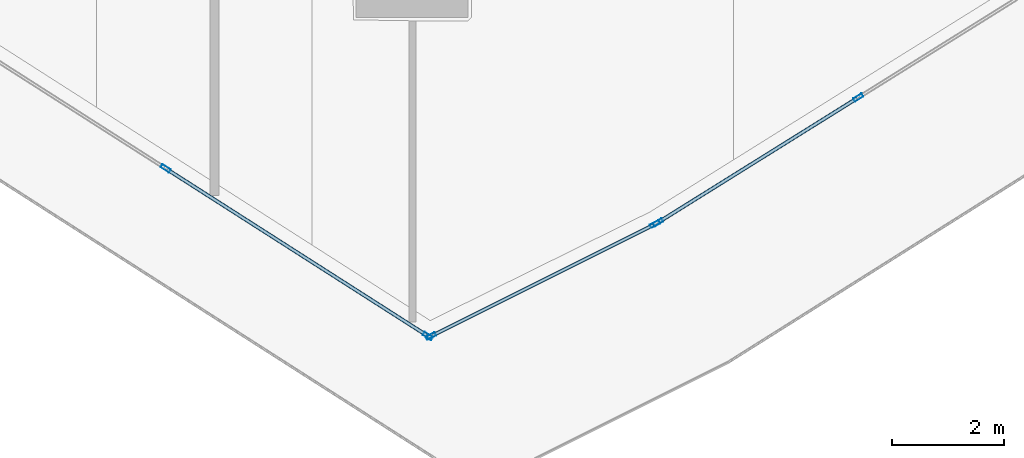
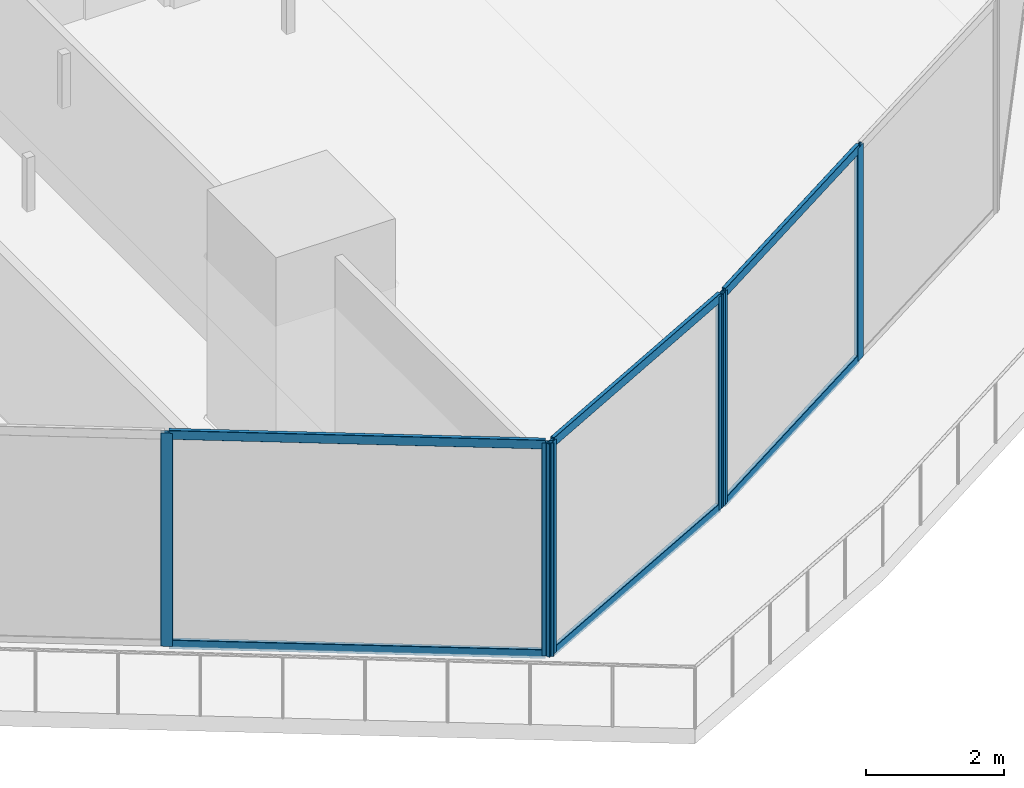
# One storey, part 9 of 37: 12 members, 3 elements without a shape of their own.
"""IFC4 building model written with IfcOpenShell, lengths in metres."""

from ifc_helpers import new_model, si_unit, direction, frame, origin, origin_2d, place, context, subcontext, project, spatial, hollow_rectangle, extrude, material, layer, layer_set, material_profile, profile_set, type_object, element, aggregate, save


model = new_model("IFC4")

# Units and contexts
model_context = context("Model", 3, precision=1e-05, world=origin(), true_north=direction((0.0, 1.0)))
body_context = subcontext(model_context, "Body", "Model", "MODEL_VIEW")
ifc_project = project(units=[si_unit("LENGTHUNIT", "METRE"), si_unit("AREAUNIT", "SQUARE_METRE"), si_unit("VOLUMEUNIT", "CUBIC_METRE"), si_unit("PLANEANGLEUNIT", "RADIAN"), si_unit("MASSUNIT", "GRAM", prefix="KILO")], contexts=[model_context])

# Site, building, storey
site_placement = place(None, origin())
site = spatial("IfcSite", under=ifc_project, at=site_placement, CompositionType="ELEMENT")
building_placement = place(site_placement, origin())
building = spatial("IfcBuilding", under=site, at=building_placement, Name="Qorvath Tower", CompositionType="ELEMENT")
storey_placement = place(building_placement, frame((0.0, 0.0, 188.85009765625)))
storey = spatial("IfcBuildingStorey", under=building, at=storey_placement, Name="L43", CompositionType="ELEMENT", Elevation=188.85009765625)

# Curtain wall, members
ifc_material_1 = material(Name="Anodised aluminium and triple low-E glass", Category="aluminium")
ifc_layer = layer(ifc_material_1, 0.179931640625)
ifc_layer_set = layer_set([ifc_layer], Name="CW-SYS-3")
curtain_wall_type = type_object("IfcCurtainWallType", Name="CW-SYS-3", PredefinedType="NOTDEFINED", material=ifc_layer_set)
curtain_wall_1_placement = place(storey_placement, origin())
curtain_wall_1 = element("IfcCurtainWall", 1, at=curtain_wall_1_placement, inside=storey, type_object=curtain_wall_type, Name="Curtain Wall CW-3 CW-T-L43-2.2", PredefinedType="NOTDEFINED")
ifc_material_2 = material(Name="Anodised aluminium 6063-T6", Category="aluminium")
ifc_material_profile_1 = material_profile(ifc_material_2, hollow_rectangle(XDim=0.06494140625, YDim=0.179931640625, WallThickness=0.00341796875, InnerFilletRadius=0.00341796875, OuterFilletRadius=0.007080078125, at=origin_2d()), Name="CWM 180x65")
ifc_profile_set_1 = profile_set([ifc_material_profile_1], Name="Anodised aluminium 6063-T6")
member_type_1 = type_object("IfcMemberType", Name="CWM-180", PredefinedType="MULLION", material=ifc_profile_set_1)
member_1_placement = place(storey_placement, frame((-21.256103515625, -25.315673828125, 0.0), z_axis=(0.0, 0.0, 1.0), x_axis=(0.538531234683, 0.842605547852, 0.0)))
member_1 = element("IfcMember", 2, at=member_1_placement, type_object=member_type_1, Name="CW-3 mullion 3", PredefinedType="MULLION", context=body_context, shape_type="SweptSolid", body=[
    extrude(hollow_rectangle(XDim=0.06494140625, YDim=0.179931640625, WallThickness=0.00341796875, InnerFilletRadius=0.00341796875, OuterFilletRadius=0.007080078125, at=origin_2d()), origin(), (0.0, 0.0, 1.0), 3.77978515625),
])
member_2_placement = place(storey_placement, frame((-16.588623046875, -28.298828125, 0.0), z_axis=(0.0, 0.0, 1.0), x_axis=(0.538531234683, 0.842605547852, 0.0)))
member_2 = element("IfcMember", 3, at=member_2_placement, type_object=member_type_1, Name="CW-3 mullion 4", PredefinedType="MULLION", context=body_context, shape_type="SweptSolid", body=[
    extrude(hollow_rectangle(XDim=0.06494140625, YDim=0.179931640625, WallThickness=0.00341796875, InnerFilletRadius=0.00341796875, OuterFilletRadius=0.007080078125, at=origin_2d()), origin(), (0.0, 0.0, 1.0), 3.77978515625),
])

curtain_wall_2_placement = place(storey_placement, origin())
curtain_wall_2 = element("IfcCurtainWall", 4, at=curtain_wall_2_placement, inside=storey, type_object=curtain_wall_type, Name="Curtain Wall CW-3 CW-T-L43-3.1", PredefinedType="NOTDEFINED")
member_3_placement = place(storey_placement, frame((-16.5322265625, -28.3017578125, 0.0), z_axis=(0.0, 0.0, 1.0), x_axis=(-0.447195906569, 0.894436035247, 0.0)))
member_3 = element("IfcMember", 5, at=member_3_placement, type_object=member_type_1, Name="CW-3 mullion 1", PredefinedType="MULLION", context=body_context, shape_type="SweptSolid", body=[
    extrude(hollow_rectangle(XDim=0.06494140625, YDim=0.179931640625, WallThickness=0.00341796875, InnerFilletRadius=0.00341796875, OuterFilletRadius=0.007080078125, at=origin_2d()), origin(), (0.0, 0.0, 1.0), 3.77978515625),
])
member_4_placement = place(storey_placement, frame((-12.545166015625, -26.308349609375, 0.0), z_axis=(0.0, 0.0, 1.0), x_axis=(-0.447195906569, 0.894436035247, 0.0)))
member_4 = element("IfcMember", 6, at=member_4_placement, type_object=member_type_1, Name="CW-3 mullion 2", PredefinedType="MULLION", context=body_context, shape_type="SweptSolid", body=[
    extrude(hollow_rectangle(XDim=0.06494140625, YDim=0.179931640625, WallThickness=0.00341796875, InnerFilletRadius=0.00341796875, OuterFilletRadius=0.007080078125, at=origin_2d()), origin(), (0.0, 0.0, 1.0), 3.77978515625),
])

curtain_wall_3_placement = place(storey_placement, origin())
curtain_wall_3 = element("IfcCurtainWall", 7, at=curtain_wall_3_placement, inside=storey, type_object=curtain_wall_type, Name="Curtain Wall CW-3 CW-T-L43-4.1", PredefinedType="NOTDEFINED")
member_5_placement = place(storey_placement, frame((-12.488525390625, -26.276611328125, 0.0), z_axis=(0.0, 0.0, 1.0), x_axis=(-0.529252450172, 0.848464403488, 0.0)))
member_5 = element("IfcMember", 8, at=member_5_placement, type_object=member_type_1, Name="CW-3 mullion 1", PredefinedType="MULLION", context=body_context, shape_type="SweptSolid", body=[
    extrude(hollow_rectangle(XDim=0.06494140625, YDim=0.179931640625, WallThickness=0.00341796875, InnerFilletRadius=0.00341796875, OuterFilletRadius=0.007080078125, at=origin_2d()), origin(), (0.0, 0.0, 1.0), 3.77978515625),
])
member_6_placement = place(storey_placement, frame((-8.923828125, -24.05322265625, 0.0), z_axis=(0.0, 0.0, 1.0), x_axis=(-0.529252450172, 0.848464403488, 0.0)))
member_6 = element("IfcMember", 9, at=member_6_placement, type_object=member_type_1, Name="CW-3 mullion 2", PredefinedType="MULLION", context=body_context, shape_type="SweptSolid", body=[
    extrude(hollow_rectangle(XDim=0.06494140625, YDim=0.179931640625, WallThickness=0.00341796875, InnerFilletRadius=0.00341796875, OuterFilletRadius=0.007080078125, at=origin_2d()), origin(), (0.0, 0.0, 1.0), 3.77978515625),
])

# Member
ifc_material_3 = material(Name="Anodised aluminium 6063-T6", Category="aluminium")
ifc_material_profile_2 = material_profile(ifc_material_3, hollow_rectangle(XDim=0.06494140625, YDim=0.159912109375, WallThickness=0.00341796875, InnerFilletRadius=0.00341796875, OuterFilletRadius=0.007080078125, at=origin_2d()), Name="CWT 160x65")
ifc_profile_set_2 = profile_set([ifc_material_profile_2], Name="Anodised aluminium 6063-T6")
member_type_2 = type_object("IfcMemberType", Name="CWT-160", PredefinedType="USERDEFINED", material=ifc_profile_set_2)
member_7_placement = place(storey_placement, frame((-21.228759765625, -25.333251953125, 0.032470703125), z_axis=(0.842598452192, -0.53854233665, 0.0), x_axis=(0.53854233665, 0.842598452192, 0.0)))
member_7 = element("IfcMember", 10, at=member_7_placement, type_object=member_type_2, Name="CW-3 transom 3.1", ObjectType="TRANSOM", PredefinedType="USERDEFINED", context=body_context, shape_type="SweptSolid", body=[
    extrude(hollow_rectangle(XDim=0.06494140625, YDim=0.159912109375, WallThickness=0.00341796875, InnerFilletRadius=0.00341796875, OuterFilletRadius=0.007080078125, at=origin_2d()), origin(), (0.0, 0.0, 1.0), 5.474365234375),
])

member_8_placement = place(storey_placement, frame((-21.228759765625, -25.333251953125, 3.747314453125), z_axis=(0.842598452192, -0.53854233665, 0.0), x_axis=(0.53854233665, 0.842598452192, 0.0)))
member_8 = element("IfcMember", 11, at=member_8_placement, type_object=member_type_2, Name="CW-3 transom 3.2", ObjectType="TRANSOM", PredefinedType="USERDEFINED", context=body_context, shape_type="SweptSolid", body=[
    extrude(hollow_rectangle(XDim=0.06494140625, YDim=0.159912109375, WallThickness=0.00341796875, InnerFilletRadius=0.00341796875, OuterFilletRadius=0.007080078125, at=origin_2d()), origin(), (0.0, 0.0, 1.0), 5.474365234375),
])

aggregate(curtain_wall_1, [member_1, member_2, member_7, member_8])

member_9_placement = place(storey_placement, frame((-16.503173828125, -28.287353515625, 0.032470703125), z_axis=(0.894438306591, 0.447191363626, 0.0), x_axis=(-0.447191363626, 0.894438306591, 0.0)))
member_9 = element("IfcMember", 12, at=member_9_placement, type_object=member_type_2, Name="CW-3 transom 1.1", ObjectType="TRANSOM", PredefinedType="USERDEFINED", context=body_context, shape_type="SweptSolid", body=[
    extrude(hollow_rectangle(XDim=0.06494140625, YDim=0.159912109375, WallThickness=0.00341796875, InnerFilletRadius=0.00341796875, OuterFilletRadius=0.007080078125, at=origin_2d()), origin(), (0.0, 0.0, 1.0), 4.392578125),
])

member_10_placement = place(storey_placement, frame((-16.503173828125, -28.287353515625, 3.747314453125), z_axis=(0.894438306591, 0.447191363626, 0.0), x_axis=(-0.447191363626, 0.894438306591, 0.0)))
member_10 = element("IfcMember", 13, at=member_10_placement, type_object=member_type_2, Name="CW-3 transom 1.2", ObjectType="TRANSOM", PredefinedType="USERDEFINED", context=body_context, shape_type="SweptSolid", body=[
    extrude(hollow_rectangle(XDim=0.06494140625, YDim=0.159912109375, WallThickness=0.00341796875, InnerFilletRadius=0.00341796875, OuterFilletRadius=0.007080078125, at=origin_2d()), origin(), (0.0, 0.0, 1.0), 4.392578125),
])

aggregate(curtain_wall_2, [member_3, member_4, member_9, member_10])

member_11_placement = place(storey_placement, frame((-12.4609375, -26.259521484375, 0.032470703125), z_axis=(0.848458895061, 0.529261280836, 0.0), x_axis=(-0.529261280836, 0.848458895061, 0.0)))
member_11 = element("IfcMember", 14, at=member_11_placement, type_object=member_type_2, Name="CW-3 transom 1.1", ObjectType="TRANSOM", PredefinedType="USERDEFINED", context=body_context, shape_type="SweptSolid", body=[
    extrude(hollow_rectangle(XDim=0.06494140625, YDim=0.159912109375, WallThickness=0.00341796875, InnerFilletRadius=0.00341796875, OuterFilletRadius=0.007080078125, at=origin_2d()), origin(), (0.0, 0.0, 1.0), 4.13623046875),
])

member_12_placement = place(storey_placement, frame((-12.4609375, -26.259521484375, 3.747314453125), z_axis=(0.848458895061, 0.529261280836, 0.0), x_axis=(-0.529261280836, 0.848458895061, 0.0)))
member_12 = element("IfcMember", 15, at=member_12_placement, type_object=member_type_2, Name="CW-3 transom 1.2", ObjectType="TRANSOM", PredefinedType="USERDEFINED", context=body_context, shape_type="SweptSolid", body=[
    extrude(hollow_rectangle(XDim=0.06494140625, YDim=0.159912109375, WallThickness=0.00341796875, InnerFilletRadius=0.00341796875, OuterFilletRadius=0.007080078125, at=origin_2d()), origin(), (0.0, 0.0, 1.0), 4.13623046875),
])

aggregate(curtain_wall_3, [member_5, member_6, member_11, member_12])

save(model, "model.ifc")
